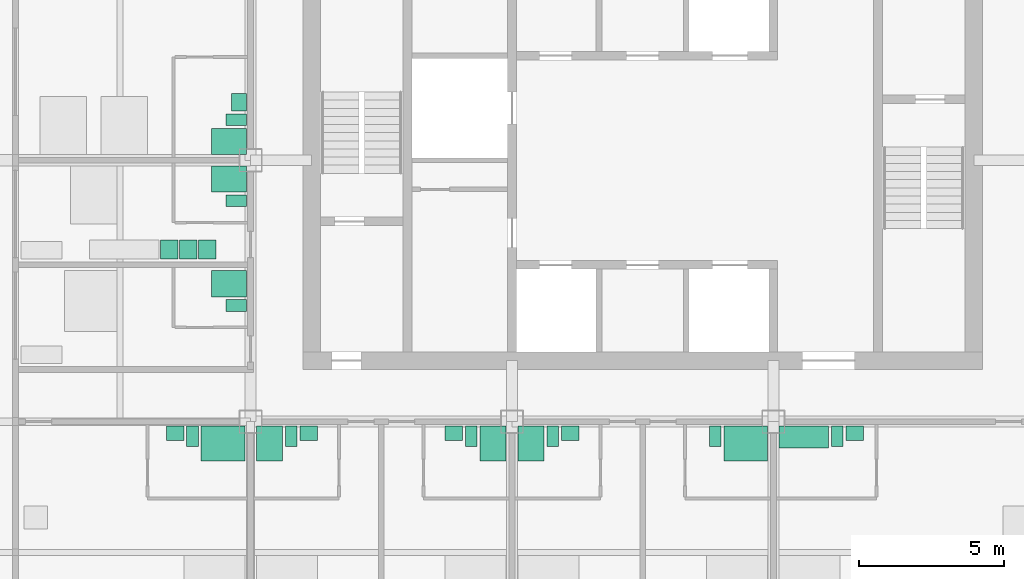
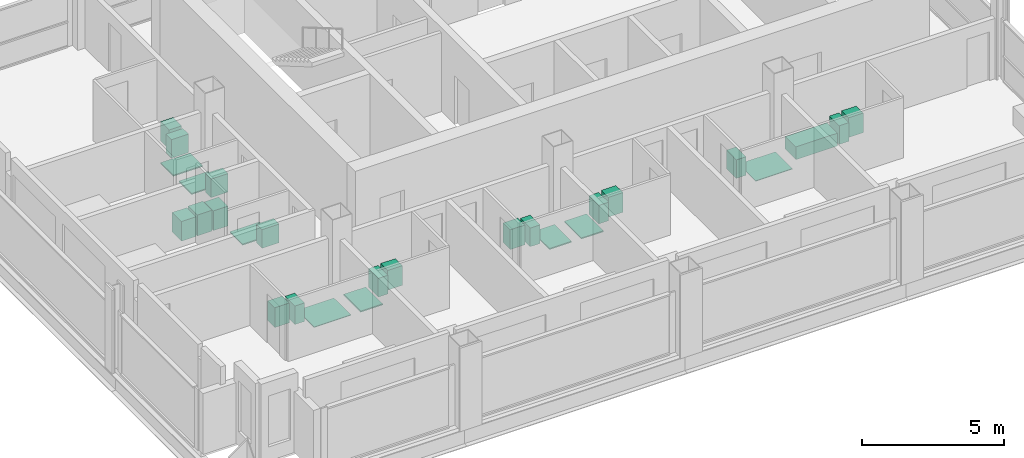
# One storey, part 11 of 12: 24 sanitary terminals, 3 electric appliances.
"""IFC4 building model written with IfcOpenShell, lengths in metres."""

from ifc_helpers import new_model, si_unit, direction, frame, origin, origin_2d, place, context, subcontext, project, spatial, rectangle, extrude, element, save


model = new_model("IFC4")

# Units and contexts
model_context = context("Model", 3, precision=1e-05, world=origin(), true_north=direction((0.0, 1.0)))
body_context = subcontext(model_context, "Body", "Model", "MODEL_VIEW")
ifc_project = project(units=[si_unit("LENGTHUNIT", "METRE"), si_unit("AREAUNIT", "SQUARE_METRE"), si_unit("VOLUMEUNIT", "CUBIC_METRE"), si_unit("PLANEANGLEUNIT", "RADIAN"), si_unit("MASSUNIT", "GRAM", prefix="KILO")], contexts=[model_context])

# Site, building, storey
site_placement = place(None, origin())
site = spatial("IfcSite", under=ifc_project, at=site_placement, CompositionType="ELEMENT")
building_placement = place(site_placement, origin())
building = spatial("IfcBuilding", under=site, at=building_placement, Name="Loomwork Tower", CompositionType="ELEMENT")
storey_placement = place(building_placement, frame((0.0, 0.0, 255.39990234375)))
storey = spatial("IfcBuildingStorey", under=building, at=storey_placement, Name="L70", CompositionType="ELEMENT", Elevation=255.39990234375)

# Sanitary terminals
sanitary_terminal_1_placement = place(storey_placement, frame((8.050048828125, 8.25, 0.0), z_axis=(0.0, 0.0, 1.0), x_axis=(1.0, 0.0, 0.0)))
element("IfcSanitaryTerminal", 1, at=sanitary_terminal_1_placement, inside=storey, Name="Roll-in shower floor L70", PredefinedType="SHOWER", context=body_context, shape_type="SweptSolid", body=[
    extrude(rectangle(XDim=1.5, YDim=1.199951171875, at=origin_2d()), origin(), (0.0, 0.0, 1.0), 0.030029296875),
])
sanitary_terminal_2_placement = place(storey_placement, frame((7.0, 8.5, 0.0), z_axis=(0.0, 0.0, 1.0), x_axis=(1.0, 0.0, 0.0)))
element("IfcSanitaryTerminal", 2, at=sanitary_terminal_2_placement, inside=storey, Name="WC L70", PredefinedType="TOILETPAN", context=body_context, shape_type="SweptSolid", body=[
    extrude(rectangle(XDim=0.39990234375, YDim=0.699951171875, at=origin_2d()), origin(), (0.0, 0.0, 1.0), 0.800048828125),
])
sanitary_terminal_3_placement = place(storey_placement, frame((6.39990234375, 8.60009765625, 0.0), z_axis=(0.0, 0.0, 1.0), x_axis=(1.0, 0.0, 0.0)))
element("IfcSanitaryTerminal", 3, at=sanitary_terminal_3_placement, inside=storey, Name="Basin vanity L70", PredefinedType="WASHHANDBASIN", context=body_context, shape_type="SweptSolid", body=[
    extrude(rectangle(XDim=0.60009765625, YDim=0.5, at=origin_2d()), origin(), (0.0, 0.0, 1.0), 0.85009765625),
])
sanitary_terminal_4_placement = place(storey_placement, frame((9.64990234375, 8.25, 0.0), z_axis=(0.0, 0.0, 1.0), x_axis=(1.0, 0.0, 0.0)))
element("IfcSanitaryTerminal", 4, at=sanitary_terminal_4_placement, inside=storey, Name="Shower tray L70", PredefinedType="SHOWER", context=body_context, shape_type="SweptSolid", body=[
    extrude(rectangle(XDim=0.89990234375, YDim=1.199951171875, at=origin_2d()), origin(), (0.0, 0.0, 1.0), 0.050048828125),
])
sanitary_terminal_5_placement = place(storey_placement, frame((10.39990234375, 8.5, 0.0), z_axis=(0.0, 0.0, 1.0), x_axis=(1.0, 0.0, 0.0)))
element("IfcSanitaryTerminal", 5, at=sanitary_terminal_5_placement, inside=storey, Name="WC L70", PredefinedType="TOILETPAN", context=body_context, shape_type="SweptSolid", body=[
    extrude(rectangle(XDim=0.39990234375, YDim=0.699951171875, at=origin_2d()), origin(), (0.0, 0.0, 1.0), 0.800048828125),
])
sanitary_terminal_6_placement = place(storey_placement, frame((11.0, 8.60009765625, 0.0), z_axis=(0.0, 0.0, 1.0), x_axis=(1.0, 0.0, 0.0)))
element("IfcSanitaryTerminal", 6, at=sanitary_terminal_6_placement, inside=storey, Name="Basin vanity L70", PredefinedType="WASHHANDBASIN", context=body_context, shape_type="SweptSolid", body=[
    extrude(rectangle(XDim=0.60009765625, YDim=0.5, at=origin_2d()), origin(), (0.0, 0.0, 1.0), 0.85009765625),
])
sanitary_terminal_7_placement = place(storey_placement, frame((17.35009765625, 8.25, 0.0), z_axis=(0.0, 0.0, 1.0), x_axis=(1.0, 0.0, 0.0)))
element("IfcSanitaryTerminal", 7, at=sanitary_terminal_7_placement, inside=storey, Name="Shower tray L70", PredefinedType="SHOWER", context=body_context, shape_type="SweptSolid", body=[
    extrude(rectangle(XDim=0.89990234375, YDim=1.199951171875, at=origin_2d()), origin(), (0.0, 0.0, 1.0), 0.050048828125),
])
sanitary_terminal_8_placement = place(storey_placement, frame((16.60009765625, 8.5, 0.0), z_axis=(0.0, 0.0, 1.0), x_axis=(1.0, 0.0, 0.0)))
element("IfcSanitaryTerminal", 8, at=sanitary_terminal_8_placement, inside=storey, Name="WC L70", PredefinedType="TOILETPAN", context=body_context, shape_type="SweptSolid", body=[
    extrude(rectangle(XDim=0.39990234375, YDim=0.699951171875, at=origin_2d()), origin(), (0.0, 0.0, 1.0), 0.800048828125),
])
sanitary_terminal_9_placement = place(storey_placement, frame((16.0, 8.60009765625, 0.0), z_axis=(0.0, 0.0, 1.0), x_axis=(1.0, 0.0, 0.0)))
element("IfcSanitaryTerminal", 9, at=sanitary_terminal_9_placement, inside=storey, Name="Basin vanity L70", PredefinedType="WASHHANDBASIN", context=body_context, shape_type="SweptSolid", body=[
    extrude(rectangle(XDim=0.60009765625, YDim=0.5, at=origin_2d()), origin(), (0.0, 0.0, 1.0), 0.85009765625),
])
sanitary_terminal_10_placement = place(storey_placement, frame((18.64990234375, 8.25, 0.0), z_axis=(0.0, 0.0, 1.0), x_axis=(1.0, 0.0, 0.0)))
element("IfcSanitaryTerminal", 10, at=sanitary_terminal_10_placement, inside=storey, Name="Shower tray L70", PredefinedType="SHOWER", context=body_context, shape_type="SweptSolid", body=[
    extrude(rectangle(XDim=0.89990234375, YDim=1.199951171875, at=origin_2d()), origin(), (0.0, 0.0, 1.0), 0.050048828125),
])
sanitary_terminal_11_placement = place(storey_placement, frame((19.39990234375, 8.5, 0.0), z_axis=(0.0, 0.0, 1.0), x_axis=(1.0, 0.0, 0.0)))
element("IfcSanitaryTerminal", 11, at=sanitary_terminal_11_placement, inside=storey, Name="WC L70", PredefinedType="TOILETPAN", context=body_context, shape_type="SweptSolid", body=[
    extrude(rectangle(XDim=0.39990234375, YDim=0.699951171875, at=origin_2d()), origin(), (0.0, 0.0, 1.0), 0.800048828125),
])
sanitary_terminal_12_placement = place(storey_placement, frame((20.0, 8.60009765625, 0.0), z_axis=(0.0, 0.0, 1.0), x_axis=(1.0, 0.0, 0.0)))
element("IfcSanitaryTerminal", 12, at=sanitary_terminal_12_placement, inside=storey, Name="Basin vanity L70", PredefinedType="WASHHANDBASIN", context=body_context, shape_type="SweptSolid", body=[
    extrude(rectangle(XDim=0.60009765625, YDim=0.5, at=origin_2d()), origin(), (0.0, 0.0, 1.0), 0.85009765625),
])
sanitary_terminal_13_placement = place(storey_placement, frame((26.050048828125, 8.25, 0.0), z_axis=(0.0, 0.0, 1.0), x_axis=(1.0, 0.0, 0.0)))
element("IfcSanitaryTerminal", 13, at=sanitary_terminal_13_placement, inside=storey, Name="Roll-in shower floor L70", PredefinedType="SHOWER", context=body_context, shape_type="SweptSolid", body=[
    extrude(rectangle(XDim=1.5, YDim=1.199951171875, at=origin_2d()), origin(), (0.0, 0.0, 1.0), 0.030029296875),
])
sanitary_terminal_14_placement = place(storey_placement, frame((25.0, 8.5, 0.0), z_axis=(0.0, 0.0, 1.0), x_axis=(1.0, 0.0, 0.0)))
element("IfcSanitaryTerminal", 14, at=sanitary_terminal_14_placement, inside=storey, Name="WC L70", PredefinedType="TOILETPAN", context=body_context, shape_type="SweptSolid", body=[
    extrude(rectangle(XDim=0.39990234375, YDim=0.699951171875, at=origin_2d()), origin(), (0.0, 0.0, 1.0), 0.800048828125),
])
sanitary_terminal_15_placement = place(storey_placement, frame((28.050048828125, 8.47509765625, 0.0), z_axis=(0.0, 0.0, 1.0), x_axis=(1.0, 0.0, 0.0)))
element("IfcSanitaryTerminal", 15, at=sanitary_terminal_15_placement, inside=storey, Name="Bath L70", PredefinedType="BATH", context=body_context, shape_type="SweptSolid", body=[
    extrude(rectangle(XDim=1.699951171875, YDim=0.75, at=origin_2d()), origin(), (0.0, 0.0, 1.0), 0.550048828125),
])
sanitary_terminal_16_placement = place(storey_placement, frame((29.199951171875, 8.5, 0.0), z_axis=(0.0, 0.0, 1.0), x_axis=(1.0, 0.0, 0.0)))
element("IfcSanitaryTerminal", 16, at=sanitary_terminal_16_placement, inside=storey, Name="WC L70", PredefinedType="TOILETPAN", context=body_context, shape_type="SweptSolid", body=[
    extrude(rectangle(XDim=0.39990234375, YDim=0.699951171875, at=origin_2d()), origin(), (0.0, 0.0, 1.0), 0.800048828125),
])
sanitary_terminal_17_placement = place(storey_placement, frame((29.800048828125, 8.60009765625, 0.0), z_axis=(0.0, 0.0, 1.0), x_axis=(1.0, 0.0, 0.0)))
element("IfcSanitaryTerminal", 17, at=sanitary_terminal_17_placement, inside=storey, Name="Basin vanity L70", PredefinedType="WASHHANDBASIN", context=body_context, shape_type="SweptSolid", body=[
    extrude(rectangle(XDim=0.60009765625, YDim=0.5, at=origin_2d()), origin(), (0.0, 0.0, 1.0), 0.85009765625),
])
sanitary_terminal_18_placement = place(storey_placement, frame((8.25, 13.75, 0.0), z_axis=(0.0, 0.0, 1.0), x_axis=(1.0, 0.0, 0.0)))
element("IfcSanitaryTerminal", 18, at=sanitary_terminal_18_placement, inside=storey, Name="Shower tray L70", PredefinedType="SHOWER", context=body_context, shape_type="SweptSolid", body=[
    extrude(rectangle(XDim=1.199951171875, YDim=0.89990234375, at=origin_2d()), origin(), (0.0, 0.0, 1.0), 0.050048828125),
])
sanitary_terminal_19_placement = place(storey_placement, frame((8.5, 13.0, 0.0), z_axis=(0.0, 0.0, 1.0), x_axis=(1.0, 0.0, 0.0)))
element("IfcSanitaryTerminal", 19, at=sanitary_terminal_19_placement, inside=storey, Name="WC L70", PredefinedType="TOILETPAN", context=body_context, shape_type="SweptSolid", body=[
    extrude(rectangle(XDim=0.699951171875, YDim=0.39990234375, at=origin_2d()), origin(), (0.0, 0.0, 1.0), 0.800048828125),
])
sanitary_terminal_20_placement = place(storey_placement, frame((8.25, 17.35009765625, 0.0), z_axis=(0.0, 0.0, 1.0), x_axis=(1.0, 0.0, 0.0)))
element("IfcSanitaryTerminal", 20, at=sanitary_terminal_20_placement, inside=storey, Name="Shower tray L70", PredefinedType="SHOWER", context=body_context, shape_type="SweptSolid", body=[
    extrude(rectangle(XDim=1.199951171875, YDim=0.89990234375, at=origin_2d()), origin(), (0.0, 0.0, 1.0), 0.050048828125),
])
sanitary_terminal_21_placement = place(storey_placement, frame((8.5, 16.60009765625, 0.0), z_axis=(0.0, 0.0, 1.0), x_axis=(1.0, 0.0, 0.0)))
element("IfcSanitaryTerminal", 21, at=sanitary_terminal_21_placement, inside=storey, Name="WC L70", PredefinedType="TOILETPAN", context=body_context, shape_type="SweptSolid", body=[
    extrude(rectangle(XDim=0.699951171875, YDim=0.39990234375, at=origin_2d()), origin(), (0.0, 0.0, 1.0), 0.800048828125),
])

# Electric appliances
electric_appliance_1_placement = place(storey_placement, frame((7.5, 14.925048828125, 0.0), z_axis=(0.0, 0.0, 1.0), x_axis=(1.0, 0.0, 0.0)))
element("IfcElectricAppliance", 22, at=electric_appliance_1_placement, inside=storey, Name="Refrigerator L70", PredefinedType="REFRIGERATOR", context=body_context, shape_type="SweptSolid", body=[
    extrude(rectangle(XDim=0.60009765625, YDim=0.64990234375, at=origin_2d()), origin(), (0.0, 0.0, 1.0), 0.85009765625),
])
electric_appliance_2_placement = place(storey_placement, frame((6.85009765625, 14.925048828125, 0.000244140625), z_axis=(0.0, 0.0, 1.0), x_axis=(1.0, 0.0, 0.0)))
element("IfcElectricAppliance", 23, at=electric_appliance_2_placement, inside=storey, Name="Two-ring cooktop and oven L70", PredefinedType="ELECTRICCOOKER", context=body_context, shape_type="SweptSolid", body=[
    extrude(rectangle(XDim=0.60009765625, YDim=0.64990234375, at=origin_2d()), origin(), (0.0, 0.0, 1.0), 0.89990234375),
])
electric_appliance_3_placement = place(storey_placement, frame((6.199951171875, 14.925048828125, 0.0), z_axis=(0.0, 0.0, 1.0), x_axis=(1.0, 0.0, 0.0)))
element("IfcElectricAppliance", 24, at=electric_appliance_3_placement, inside=storey, Name="Dishwasher L70", PredefinedType="DISHWASHER", context=body_context, shape_type="SweptSolid", body=[
    extrude(rectangle(XDim=0.60009765625, YDim=0.64990234375, at=origin_2d()), origin(), (0.0, 0.0, 1.0), 0.85009765625),
])

# Sanitary terminals
sanitary_terminal_22_placement = place(storey_placement, frame((8.25, 18.64990234375, 0.0), z_axis=(0.0, 0.0, 1.0), x_axis=(1.0, 0.0, 0.0)))
element("IfcSanitaryTerminal", 25, at=sanitary_terminal_22_placement, inside=storey, Name="Shower tray L70", PredefinedType="SHOWER", context=body_context, shape_type="SweptSolid", body=[
    extrude(rectangle(XDim=1.199951171875, YDim=0.89990234375, at=origin_2d()), origin(), (0.0, 0.0, 1.0), 0.050048828125),
])
sanitary_terminal_23_placement = place(storey_placement, frame((8.5, 19.39990234375, 0.0), z_axis=(0.0, 0.0, 1.0), x_axis=(1.0, 0.0, 0.0)))
element("IfcSanitaryTerminal", 26, at=sanitary_terminal_23_placement, inside=storey, Name="WC L70", PredefinedType="TOILETPAN", context=body_context, shape_type="SweptSolid", body=[
    extrude(rectangle(XDim=0.699951171875, YDim=0.39990234375, at=origin_2d()), origin(), (0.0, 0.0, 1.0), 0.800048828125),
])
sanitary_terminal_24_placement = place(storey_placement, frame((8.60009765625, 20.0, 0.0), z_axis=(0.0, 0.0, 1.0), x_axis=(1.0, 0.0, 0.0)))
element("IfcSanitaryTerminal", 27, at=sanitary_terminal_24_placement, inside=storey, Name="Basin vanity L70", PredefinedType="WASHHANDBASIN", context=body_context, shape_type="SweptSolid", body=[
    extrude(rectangle(XDim=0.5, YDim=0.60009765625, at=origin_2d()), origin(), (0.0, 0.0, 1.0), 0.85009765625),
])

save(model, "model.ifc")
